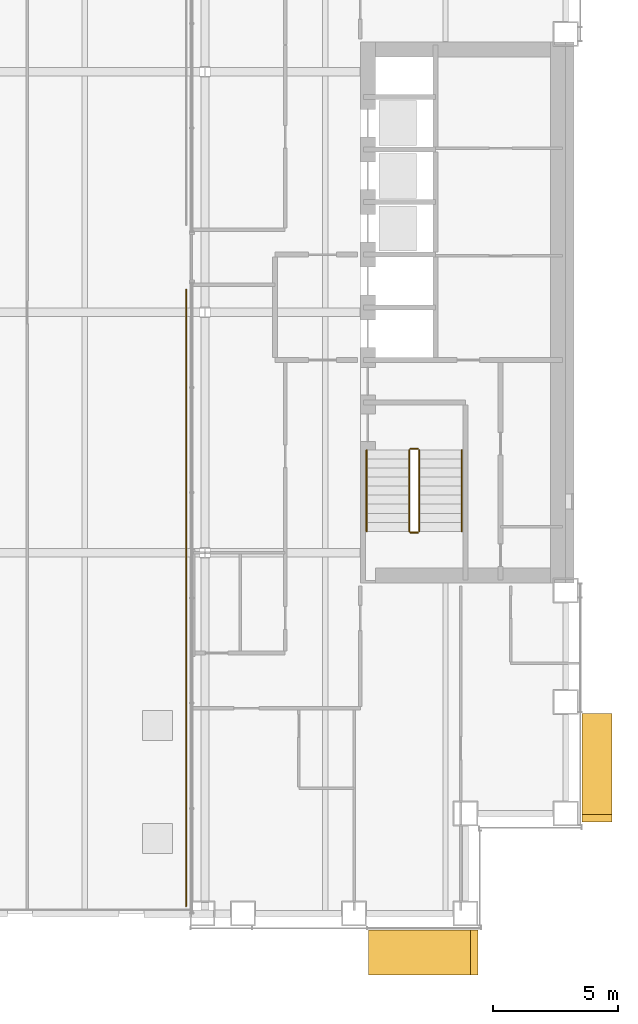
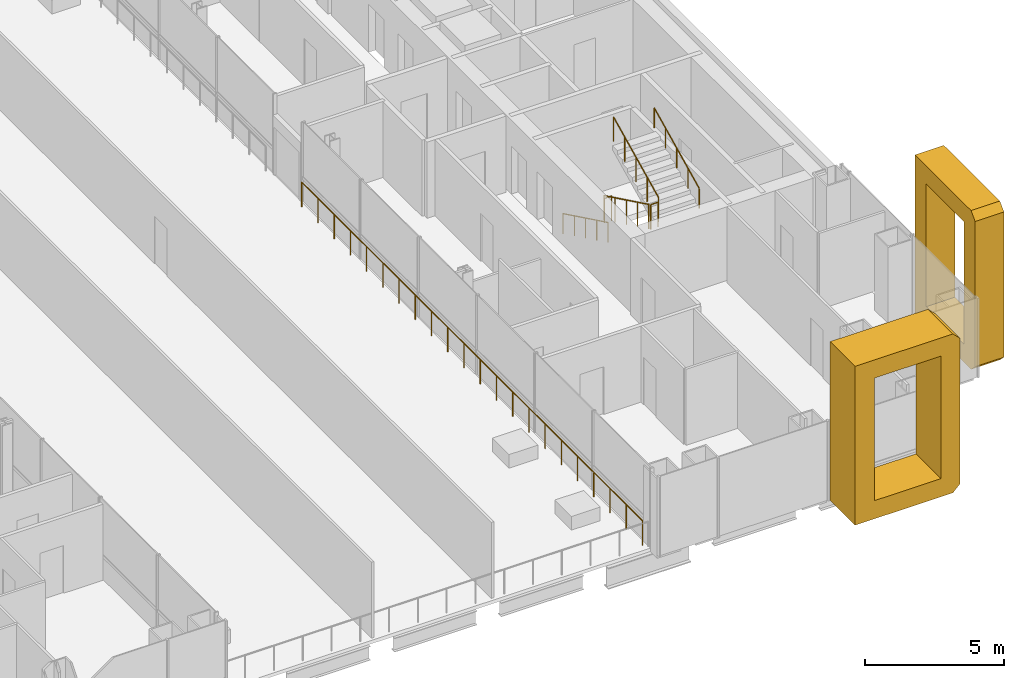
# One storey, part 22 of 24: 7 railings, 2 coverings.
"""IFC4 building model written with IfcOpenShell, lengths in metres."""

from ifc_helpers import new_model, si_unit, direction, frame, origin, origin_2d, place, context, subcontext, project, spatial, polyline, circle, outline, extrude, material, type_object, element, save


model = new_model("IFC4")

# Units and contexts
model_context = context("Model", 3, precision=1e-05, world=origin(), true_north=direction((0.0, 1.0)))
body_context = subcontext(model_context, "Body", "Model", "MODEL_VIEW")
ifc_project = project(units=[si_unit("LENGTHUNIT", "METRE"), si_unit("AREAUNIT", "SQUARE_METRE"), si_unit("VOLUMEUNIT", "CUBIC_METRE"), si_unit("PLANEANGLEUNIT", "RADIAN"), si_unit("MASSUNIT", "GRAM", prefix="KILO")], contexts=[model_context])

# Site, building, storey
site_placement = place(None, origin())
site = spatial("IfcSite", under=ifc_project, at=site_placement, CompositionType="ELEMENT")
building_placement = place(site_placement, origin())
building = spatial("IfcBuilding", under=site, at=building_placement, Name="Cobrizo Arcos Hotel Tower", CompositionType="ELEMENT")
storey_placement = place(building_placement, frame((0.0, 0.0, 60.0)))
storey = spatial("IfcBuildingStorey", under=building, at=storey_placement, Name="L13", CompositionType="ELEMENT", Elevation=60.0)

# Coverings
ifc_material_1 = material(Name="Aluminium 6063-T6 anodised bronze", Category="aluminium")
covering_type_1 = type_object("IfcCoveringType", Name="FIN-F 1200", PredefinedType="CLADDING", material=ifc_material_1)
covering_1_placement = place(storey_placement, frame((24.64990234375, -20.35009765625, 0.0), z_axis=(1.0, 0.0, 0.0), x_axis=(0.0, 1.0, 0.0)))
element("IfcCovering", 1, at=covering_1_placement, inside=storey, type_object=covering_type_1, Name="Fin frame 33", PredefinedType="CLADDING", context=body_context, shape_type="SweptSolid", body=[
    extrude(outline(polyline([(0.0, 0.300048828125), (0.300048828125, 0.0), (4.341796875, 0.0), (4.341796875, 7.0), (0.300048828125, 7.0), (0.0, 6.699951171875), (0.0, 0.300048828125)]), holes=[polyline([(3.541748046875, 0.800048828125), (0.800048828125, 0.800048828125), (0.800048828125, 6.199951171875), (3.541748046875, 6.199951171875), (3.541748046875, 0.800048828125)])]), origin(), (0.0, 0.0, 1.0), 1.2001953125),
])
covering_type_2 = type_object("IfcCoveringType", Name="FIN-F 1800", PredefinedType="CLADDING", material=ifc_material_1)
covering_2_placement = place(storey_placement, frame((16.125, -24.64990234375, 0.0), z_axis=(0.0, -1.0, 0.0), x_axis=(1.0, 0.0, 0.0)))
element("IfcCovering", 2, at=covering_2_placement, inside=storey, type_object=covering_type_2, Name="Fin frame 56", PredefinedType="CLADDING", context=body_context, shape_type="SweptSolid", body=[
    extrude(outline(polyline([(0.0, 7.0), (0.0, 0.0), (4.074951171875, 0.0), (4.375, 0.300048828125), (4.375, 6.699951171875), (4.074951171875, 7.0), (0.0, 7.0)]), holes=[polyline([(3.574951171875, 0.800048828125), (0.800048828125, 0.800048828125), (0.800048828125, 6.199951171875), (3.574951171875, 6.199951171875), (3.574951171875, 0.800048828125)])]), origin(), (0.0, 0.0, 1.0), 1.800048828125),
])

# Railings
ifc_material_2 = material(Name="Stainless steel railing", Category="steel")
railing_type_1 = type_object("IfcRailingType", Name="Garden deck guard 1100", PredefinedType="GUARDRAIL", material=ifc_material_2)
railing_1_placement = place(storey_placement, frame((8.85009765625, -23.699951171875, 0.0)))
element("IfcRailing", 3, at=railing_1_placement, inside=storey, type_object=railing_type_1, Name="Garden deck east guard", PredefinedType="GUARDRAIL", context=body_context, shape_type="SweptSolid", body=[
    extrude(circle(Radius=0.02392578125, at=origin_2d()), frame((0.0, 0.0, 1.076171875), z_axis=(0.0, 1.0, 0.0), x_axis=(-1.0, 0.0, 0.0)), (0.0, 0.0, 1.0), 24.599853515625),
    extrude(circle(Radius=0.02099609375, at=origin_2d()), origin(), (0.0, 0.0, 1.0), 1.052001953125),
    extrude(circle(Radius=0.02099609375, at=origin_2d()), frame((0.0, 1.17138671875, 0.0)), (0.0, 0.0, 1.0), 1.052001953125),
    extrude(circle(Radius=0.02099609375, at=origin_2d()), frame((0.0, 2.3427734375, 0.0)), (0.0, 0.0, 1.0), 1.052001953125),
    extrude(circle(Radius=0.02099609375, at=origin_2d()), frame((0.0, 3.51416015625, 0.0)), (0.0, 0.0, 1.0), 1.052001953125),
    extrude(circle(Radius=0.02099609375, at=origin_2d()), frame((0.0, 4.685791015625, 0.0)), (0.0, 0.0, 1.0), 1.052001953125),
    extrude(circle(Radius=0.02099609375, at=origin_2d()), frame((0.0, 5.857177734375, 0.0)), (0.0, 0.0, 1.0), 1.052001953125),
    extrude(circle(Radius=0.02099609375, at=origin_2d()), frame((0.0, 7.028564453125, 0.0)), (0.0, 0.0, 1.0), 1.052001953125),
    extrude(circle(Radius=0.02099609375, at=origin_2d()), frame((0.0, 8.199951171875, 0.0)), (0.0, 0.0, 1.0), 1.052001953125),
    extrude(circle(Radius=0.02099609375, at=origin_2d()), frame((0.0, 9.371337890625, 0.0)), (0.0, 0.0, 1.0), 1.052001953125),
    extrude(circle(Radius=0.02099609375, at=origin_2d()), frame((0.0, 10.542724609375, 0.0)), (0.0, 0.0, 1.0), 1.052001953125),
    extrude(circle(Radius=0.02099609375, at=origin_2d()), frame((0.0, 11.714111328125, 0.0)), (0.0, 0.0, 1.0), 1.052001953125),
    extrude(circle(Radius=0.02099609375, at=origin_2d()), frame((0.0, 12.8857421875, 0.0)), (0.0, 0.0, 1.0), 1.052001953125),
    extrude(circle(Radius=0.02099609375, at=origin_2d()), frame((0.0, 14.05712890625, 0.0)), (0.0, 0.0, 1.0), 1.052001953125),
    extrude(circle(Radius=0.02099609375, at=origin_2d()), frame((0.0, 15.228515625, 0.0)), (0.0, 0.0, 1.0), 1.052001953125),
    extrude(circle(Radius=0.02099609375, at=origin_2d()), frame((0.0, 16.39990234375, 0.0)), (0.0, 0.0, 1.0), 1.052001953125),
    extrude(circle(Radius=0.02099609375, at=origin_2d()), frame((0.0, 17.5712890625, 0.0)), (0.0, 0.0, 1.0), 1.052001953125),
    extrude(circle(Radius=0.02099609375, at=origin_2d()), frame((0.0, 18.74267578125, 0.0)), (0.0, 0.0, 1.0), 1.052001953125),
    extrude(circle(Radius=0.02099609375, at=origin_2d()), frame((0.0, 19.9140625, 0.0)), (0.0, 0.0, 1.0), 1.052001953125),
    extrude(circle(Radius=0.02099609375, at=origin_2d()), frame((0.0, 21.085693359375, 0.0)), (0.0, 0.0, 1.0), 1.052001953125),
    extrude(circle(Radius=0.02099609375, at=origin_2d()), frame((0.0, 22.257080078125, 0.0)), (0.0, 0.0, 1.0), 1.052001953125),
    extrude(circle(Radius=0.02099609375, at=origin_2d()), frame((0.0, 23.428466796875, 0.0)), (0.0, 0.0, 1.0), 1.052001953125),
    extrude(circle(Radius=0.02099609375, at=origin_2d()), frame((0.0, 24.599853515625, 0.0)), (0.0, 0.0, 1.0), 1.052001953125),
])
railing_type_2 = type_object("IfcRailingType", Name="Stair guard 1100", PredefinedType="GUARDRAIL", material=ifc_material_2)
railing_2_placement = place(storey_placement, frame((17.75, -5.5, 0.175048828125)))
element("IfcRailing", 4, at=railing_2_placement, inside=storey, type_object=railing_type_2, Name="L13 ST-E stair guard 1", PredefinedType="GUARDRAIL", context=body_context, shape_type="SweptSolid", body=[
    extrude(circle(Radius=0.02392578125, at=origin_2d()), frame((0.0, 0.0, 1.076171875), z_axis=(0.0, -0.899372665325, 0.437182809435), x_axis=(1.0, 0.0, 0.0)), (0.0, 0.0, 1.0), 3.6025390625),
    extrude(circle(Radius=0.02099609375, at=origin_2d()), origin(), (0.0, 0.0, 1.0), 1.052001953125),
    extrude(circle(Radius=0.02099609375, at=origin_2d()), frame((0.0, -0.81005859375, 0.393798828125)), (0.0, 0.0, 1.0), 1.052001953125),
    extrude(circle(Radius=0.02099609375, at=origin_2d()), frame((0.0, -1.6201171875, 0.78759765625)), (0.0, 0.0, 1.0), 1.052001953125),
    extrude(circle(Radius=0.02099609375, at=origin_2d()), frame((0.0, -2.429931640625, 1.18115234375)), (0.0, 0.0, 1.0), 1.052001953125),
    extrude(circle(Radius=0.02099609375, at=origin_2d()), frame((0.0, -3.239990234375, 1.574951171875)), (0.0, 0.0, 1.0), 1.052001953125),
])
railing_3_placement = place(storey_placement, frame((17.800048828125, -8.7900390625, 1.75)))
element("IfcRailing", 5, at=railing_3_placement, inside=storey, type_object=railing_type_2, Name="L13 ST-E stair guard 2", PredefinedType="GUARDRAIL", context=body_context, shape_type="SweptSolid", body=[
    extrude(circle(Radius=0.02392578125, at=origin_2d()), frame((0.0, 0.0, 1.076171875), z_axis=(1.0, 0.0, 0.0), x_axis=(0.0, 1.0, 0.0)), (0.0, 0.0, 1.0), 0.300048828125),
    extrude(circle(Radius=0.02099609375, at=origin_2d()), origin(), (0.0, 0.0, 1.0), 1.052001953125),
    extrude(circle(Radius=0.02099609375, at=origin_2d()), frame((0.300048828125, 0.0, 0.0)), (0.0, 0.0, 1.0), 1.052001953125),
])
railing_4_placement = place(storey_placement, frame((18.14990234375, -8.739990234375, 1.925048828125)))
element("IfcRailing", 6, at=railing_4_placement, inside=storey, type_object=railing_type_2, Name="L13 ST-E stair guard 3", PredefinedType="GUARDRAIL", context=body_context, shape_type="SweptSolid", body=[
    extrude(circle(Radius=0.02392578125, at=origin_2d()), frame((0.0, 0.0, 1.076171875), z_axis=(0.0, 0.899372665325, 0.437182809435), x_axis=(-1.0, 0.0, 0.0)), (0.0, 0.0, 1.0), 3.6025390625),
    extrude(circle(Radius=0.02099609375, at=origin_2d()), origin(), (0.0, 0.0, 1.0), 1.052001953125),
    extrude(circle(Radius=0.02099609375, at=origin_2d()), frame((0.0, 0.81005859375, 0.393798828125)), (0.0, 0.0, 1.0), 1.052001953125),
    extrude(circle(Radius=0.02099609375, at=origin_2d()), frame((0.0, 1.6201171875, 0.78759765625)), (0.0, 0.0, 1.0), 1.052001953125),
    extrude(circle(Radius=0.02099609375, at=origin_2d()), frame((0.0, 2.429931640625, 1.18115234375)), (0.0, 0.0, 1.0), 1.052001953125),
    extrude(circle(Radius=0.02099609375, at=origin_2d()), frame((0.0, 3.239990234375, 1.574951171875)), (0.0, 0.0, 1.0), 1.052001953125),
])
railing_5_placement = place(storey_placement, frame((17.800048828125, -5.449951171875, 0.0)))
element("IfcRailing", 7, at=railing_5_placement, inside=storey, type_object=railing_type_2, Name="L13 ST-E stair guard 4", PredefinedType="GUARDRAIL", context=body_context, shape_type="SweptSolid", body=[
    extrude(circle(Radius=0.02392578125, at=origin_2d()), frame((0.0, 0.0, 1.076171875), z_axis=(1.0, 0.0, 0.0), x_axis=(0.0, 1.0, 0.0)), (0.0, 0.0, 1.0), 0.300048828125),
    extrude(circle(Radius=0.02099609375, at=origin_2d()), origin(), (0.0, 0.0, 1.0), 1.052001953125),
    extrude(circle(Radius=0.02099609375, at=origin_2d()), frame((0.300048828125, 0.0, 0.0)), (0.0, 0.0, 1.0), 1.052001953125),
])
railing_type_3 = type_object("IfcRailingType", Name="Stair handrail", PredefinedType="HANDRAIL", material=ifc_material_2)
railing_6_placement = place(storey_placement, frame((16.050048828125, -5.5, 0.175048828125)))
element("IfcRailing", 8, at=railing_6_placement, inside=storey, type_object=railing_type_3, Name="L13 ST-E stair handrail 1", PredefinedType="HANDRAIL", context=body_context, shape_type="SweptSolid", body=[
    extrude(circle(Radius=0.02392578125, at=origin_2d()), frame((0.0, 0.0, 0.8759765625), z_axis=(0.0, -0.899372665325, 0.437182809435), x_axis=(1.0, 0.0, 0.0)), (0.0, 0.0, 1.0), 3.6025390625),
    extrude(circle(Radius=0.02099609375, at=origin_2d()), origin(), (0.0, 0.0, 1.0), 0.851806640625),
    extrude(circle(Radius=0.02099609375, at=origin_2d()), frame((0.0, -0.81005859375, 0.393798828125)), (0.0, 0.0, 1.0), 0.851806640625),
    extrude(circle(Radius=0.02099609375, at=origin_2d()), frame((0.0, -1.6201171875, 0.78759765625)), (0.0, 0.0, 1.0), 0.851806640625),
    extrude(circle(Radius=0.02099609375, at=origin_2d()), frame((0.0, -2.429931640625, 1.18115234375)), (0.0, 0.0, 1.0), 0.851806640625),
    extrude(circle(Radius=0.02099609375, at=origin_2d()), frame((0.0, -3.239990234375, 1.574951171875)), (0.0, 0.0, 1.0), 0.851806640625),
])
railing_7_placement = place(storey_placement, frame((19.85009765625, -8.739990234375, 1.925048828125)))
element("IfcRailing", 9, at=railing_7_placement, inside=storey, type_object=railing_type_3, Name="L13 ST-E stair handrail 2", PredefinedType="HANDRAIL", context=body_context, shape_type="SweptSolid", body=[
    extrude(circle(Radius=0.02392578125, at=origin_2d()), frame((0.0, 0.0, 0.8759765625), z_axis=(0.0, 0.899372665325, 0.437182809435), x_axis=(-1.0, 0.0, 0.0)), (0.0, 0.0, 1.0), 3.6025390625),
    extrude(circle(Radius=0.02099609375, at=origin_2d()), origin(), (0.0, 0.0, 1.0), 0.851806640625),
    extrude(circle(Radius=0.02099609375, at=origin_2d()), frame((0.0, 0.81005859375, 0.393798828125)), (0.0, 0.0, 1.0), 0.851806640625),
    extrude(circle(Radius=0.02099609375, at=origin_2d()), frame((0.0, 1.6201171875, 0.78759765625)), (0.0, 0.0, 1.0), 0.851806640625),
    extrude(circle(Radius=0.02099609375, at=origin_2d()), frame((0.0, 2.429931640625, 1.18115234375)), (0.0, 0.0, 1.0), 0.851806640625),
    extrude(circle(Radius=0.02099609375, at=origin_2d()), frame((0.0, 3.239990234375, 1.574951171875)), (0.0, 0.0, 1.0), 0.851806640625),
])

save(model, "model.ifc")
